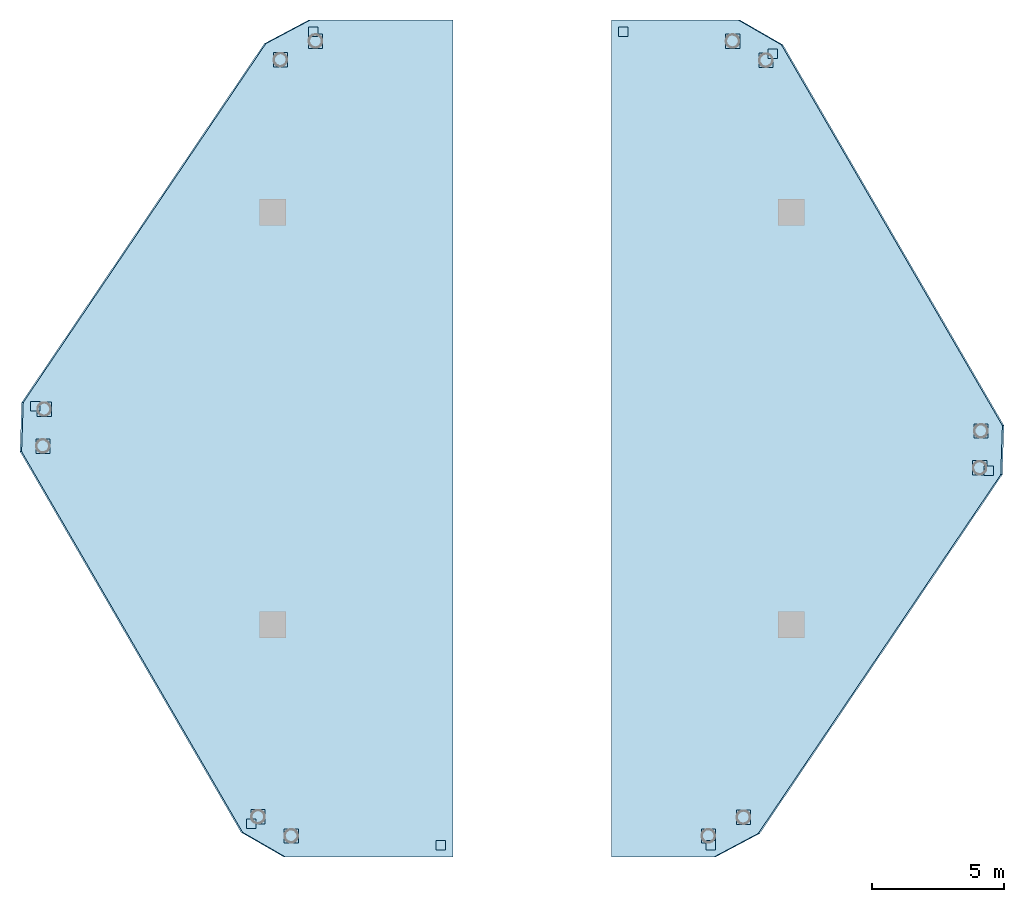
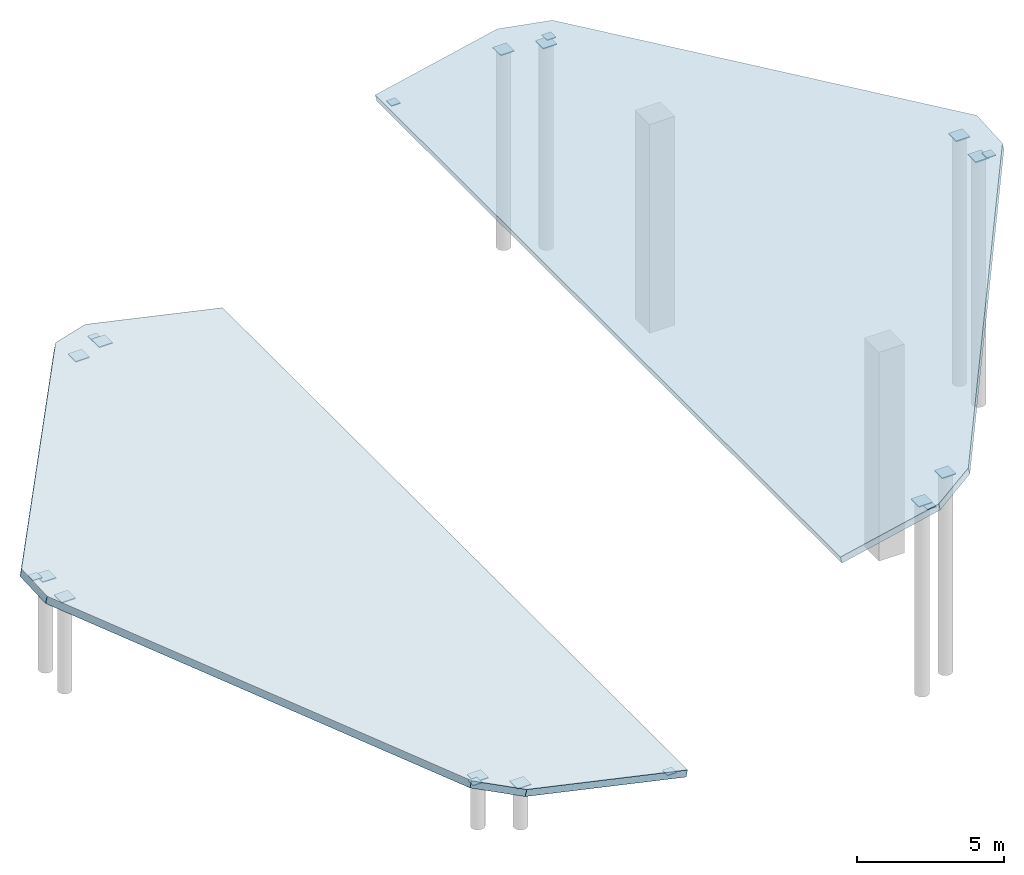
# One storey, part 2 of 3: 20 plates, 2 slabs.
"""IFC4 building model written with IfcOpenShell, lengths in metres."""

from ifc_helpers import new_model, si_unit, direction, frame, origin, origin_2d, place, context, subcontext, project, spatial, polyline, rectangle, outline, extrude, source, transform, mapped, material, layer, layer_set, type_object, type_shapes, element, save


model = new_model("IFC4")

# Units and contexts
model_context = context("Model", 3, precision=1e-05, world=origin(), true_north=direction((0.0, 1.0)))
body_context = subcontext(model_context, "Body", "Model", "MODEL_VIEW")
ifc_project = project(units=[si_unit("LENGTHUNIT", "METRE"), si_unit("AREAUNIT", "SQUARE_METRE"), si_unit("VOLUMEUNIT", "CUBIC_METRE"), si_unit("PLANEANGLEUNIT", "RADIAN"), si_unit("MASSUNIT", "GRAM", prefix="KILO")], contexts=[model_context])

# Site, building, storey
site_placement = place(None, origin())
site = spatial("IfcSite", under=ifc_project, at=site_placement, CompositionType="ELEMENT")
building_placement = place(site_placement, origin())
building = spatial("IfcBuilding", under=site, at=building_placement, Name="Durnholm Broadcast Tower", CompositionType="ELEMENT")
storey_placement = place(building_placement, frame((0.0, 0.0, 292.0)))
storey = spatial("IfcBuildingStorey", under=building, at=storey_placement, Name="RF", CompositionType="ELEMENT", Elevation=292.0)

# Slabs
ifc_material_1 = material(Name="Concrete C50/60", Category="concrete")
ifc_layer_1 = layer(ifc_material_1, 0.280029296875)
ifc_layer_set_1 = layer_set([ifc_layer_1], Name="Concrete C50/60")
slab_type = type_object("IfcSlabType", Name="SLAB-ROOF-280", PredefinedType="ROOF", material=ifc_layer_set_1)
slab_1_placement = place(storey_placement, frame((3.0, 15.06201171875, 7.123779296875), z_axis=(-0.216447961773, 3.296527e-06, 0.976294156406), x_axis=(-7.13526e-07, -0.999999999995, 3.21838e-06)))
element("IfcSlab", 1, at=slab_1_placement, inside=storey, type_object=slab_type, Name="RF east split-crown sloped roof slab", PredefinedType="ROOF", context=body_context, shape_type="SweptSolid", body=[
    extrude(outline(polyline([(0.0, 0.0), (31.647949218578038, 3.3508569626640305e-21), (31.647949218565003, 3.95683639814637), (30.75634765634023, 5.676577134315678), (17.18920898439453, 15.071398969240379), (15.33569335889941, 15.136382859496287), (0.9377441406874173, 6.578062084345478), (-1.18522507584774e-10, 4.910091244811633), (0.0, 0.0)])), origin(), (0.0, 0.0, -1.0), 0.280029296875),
])
slab_2_placement = place(storey_placement, frame((-3.0, -16.5859375, 0.385986328125), z_axis=(0.216440234489, 2.824016e-06, 0.976295869543), x_axis=(-6.11231e-07, 0.999999999996, -2.757075e-06)))
element("IfcSlab", 2, at=slab_2_placement, inside=storey, type_object=slab_type, Name="RF west split-crown sloped roof slab", PredefinedType="ROOF", context=body_context, shape_type="SweptSolid", body=[
    extrude(outline(polyline([(0.0, 0.0), (31.647949218623804, 0.0), (31.64794921842688, 5.517771969890781), (30.756347656333485, 7.237459863502915), (17.189208984426315, 16.6322816984801), (15.335449218716139, 16.69755678528481), (0.9377441402967452, 8.138997655814387), (-1.2786371009669637e-10, 6.471026816779455), (0.0, 0.0)])), origin(), (0.0, 0.0, -1.0), 0.280029296875),
])

# Plates
ifc_material_2 = material(Name="Steel ASTM A572 Grade 50", Category="steel")
ifc_layer_2 = layer(ifc_material_2, 0.0400390625)
ifc_layer_set_2 = layer_set([ifc_layer_2], Name="Steel ASTM A572 Grade 50")
plate_type = type_object("IfcPlateType", Name="PLT-KN-CAP", PredefinedType="USERDEFINED", material=ifc_layer_set_2)
shared_shape_1 = source(origin(), body_context, "Body", "SweptSolid", [
    extrude(rectangle(XDim=0.5400390625, YDim=0.5400390625, at=origin_2d()), origin(), (0.0, 0.0, 1.0), 0.0400390625),
])
for number, where, z_axis, x_axis, name in (
    (3, (-10.361328125, -15.061767578125, 1.758056640625), (0.0, 0.0, 1.0), (1.0, 0.0, 0.0), "RF hollow section end cap plate COL-TUBE-RF-01 2"),
    (4, (-18.494384765625, -1.0478515625, 3.56103515625), (0.0, 0.0, 1.0), (1.0, 0.0, 0.0), "RF hollow section end cap plate COL-TUBE-RF-02 2"),
    (5, (-18.4462890625, 0.345947265625, 3.55029296875), (0.0, 0.0, 1.0), (1.0, 0.0, 0.0), "RF hollow section end cap plate COL-TUBE-RF-03 2"),
    (6, (-9.514892578125, 13.557373046875, 1.5703125), (0.0, 0.0, 1.0), (1.0, 0.0, 0.0), "RF hollow section end cap plate COL-TUBE-RF-04 2"),
    (7, (-8.187744140625, 14.261962890625, 1.276123046875), (0.0, 0.0, 1.0), (1.0, 0.0, 0.0), "RF hollow section end cap plate COL-TUBE-RF-05 2"),
    (8, (7.57958984375, 14.261962890625, 7.879150390625), (0.0, 0.0, 1.0), (1.0, 0.0, 0.0), "RF hollow section end cap plate COL-TUBE-RF-06 2"),
    (9, (8.83740234375, 13.53759765625, 8.157958984375), (0.0, 0.0, 1.0), (1.0, 0.0, 0.0), "RF hollow section end cap plate COL-TUBE-RF-07 2"),
    (10, (16.97021484375, -0.47607421875, 9.9609375), (0.0, 0.0, 1.0), (1.0, 0.0, 0.0), "RF hollow section end cap plate COL-TUBE-RF-08 2"),
    (11, (16.92236328125, -1.869873046875, 9.950439453125), (0.0, 0.0, 1.0), (1.0, 0.0, 0.0), "RF hollow section end cap plate COL-TUBE-RF-09 2"),
    (12, (7.990966796875, -15.081298828125, 7.97021484375), (0.0, 0.0, 1.0), (1.0, 0.0, 0.0), "RF hollow section end cap plate COL-TUBE-RF-10 2"),
    (13, (6.663818359375, -15.785888671875, 7.676025390625), (0.0, 0.0, 1.0), (1.0, 0.0, 0.0), "RF hollow section end cap plate COL-TUBE-RF-11 2"),
    (14, (-9.103759765625, -15.785888671875, 1.479248046875), (0.0, 0.0, 1.0), (1.0, 0.0, 0.0), "RF hollow section end cap plate COL-TUBE-RF-12 2"),
):
    element("IfcPlate", number, at=place(storey_placement, frame(where, z_axis=z_axis, x_axis=x_axis)), inside=storey, type_object=plate_type, Name=name, ObjectType="CAP_PLATE", PredefinedType="USERDEFINED", context=body_context, shape_type="MappedRepresentation", body=[
        mapped(shared_shape_1, transform((0.0, 0.0, 0.0), x_axis=(1.0, 0.0, 0.0), y_axis=(0.0, 1.0, 0.0), z_axis=(0.0, 0.0, 1.0), scale=1.0)),
    ])
shared_shape_2 = source(origin(), body_context, "Body", "SweptSolid", [
    extrude(rectangle(XDim=0.360107421875, YDim=0.360107421875, at=origin_2d()), origin(), (0.0, 0.0, 1.0), 0.0400390625),
])
type_shapes(plate_type, [shared_shape_1, shared_shape_2])
for number, where, z_axis, x_axis, name in (
    (15, (-10.6171875, -15.318359375, 1.774658203125), (0.0, 0.0, 1.0), (1.0, 0.0, 0.0), "RF hollow section top cap plate CF-POST-L79-W-1"),
    (16, (-3.449951171875, -16.135986328125, 0.185791015625), (0.0, 0.0, 1.0), (1.0, 0.0, 0.0), "RF hollow section top cap plate CF-POST-L79-W-3"),
    (17, (-8.27490234375, 14.612060546875, 1.25537109375), (0.0, 0.0, 1.0), (1.0, 0.0, 0.0), "RF hollow section top cap plate CF-POST-L79-W-5"),
    (18, (-18.792724609375, 0.45849609375, 3.587158203125), (0.0, 0.0, 1.0), (1.0, 0.0, 0.0), "RF hollow section top cap plate CF-POST-L79-W-7"),
    (19, (3.449951171875, 14.612060546875, 6.923583984375), (0.0, 0.0, 1.0), (1.0, 0.0, 0.0), "RF hollow section top cap plate CF-POST-L79-E-1"),
    (20, (6.7509765625, -16.135986328125, 7.6552734375), (0.0, 0.0, 1.0), (1.0, 0.0, 0.0), "RF hollow section top cap plate CF-POST-L79-E-3"),
    (21, (17.268798828125, -1.982421875, 9.987060546875), (0.0, 0.0, 1.0), (1.0, 0.0, 0.0), "RF hollow section top cap plate CF-POST-L79-E-5"),
    (22, (9.09326171875, 13.794189453125, 8.174560546875), (0.0, 0.0, 1.0), (1.0, 0.0, 0.0), "RF hollow section top cap plate CF-POST-L79-E-7"),
):
    element("IfcPlate", number, at=place(storey_placement, frame(where, z_axis=z_axis, x_axis=x_axis)), inside=storey, type_object=plate_type, Name=name, ObjectType="CAP_PLATE", PredefinedType="USERDEFINED", context=body_context, shape_type="MappedRepresentation", body=[
        mapped(shared_shape_2, transform((0.0, 0.0, 0.0), x_axis=(1.0, 0.0, 0.0), y_axis=(0.0, 1.0, 0.0), z_axis=(0.0, 0.0, 1.0), scale=1.0)),
    ])

save(model, "model.ifc")
